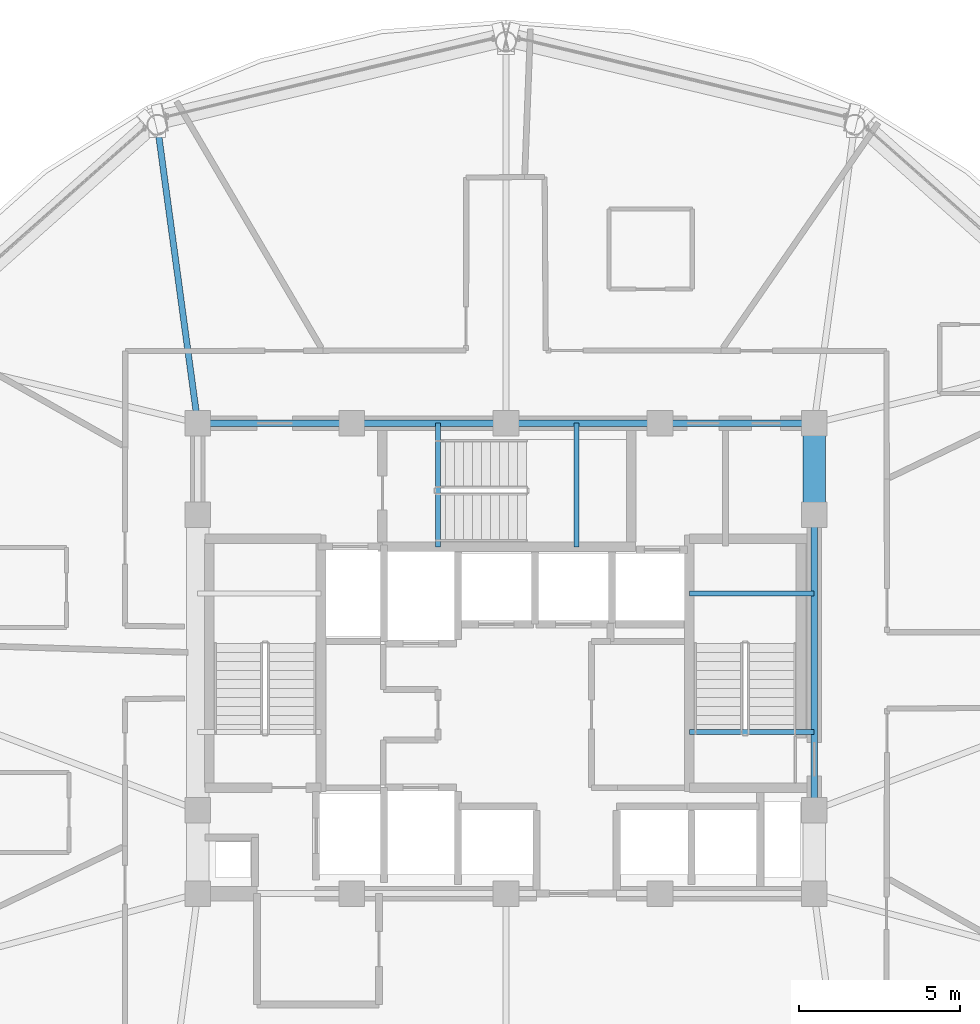
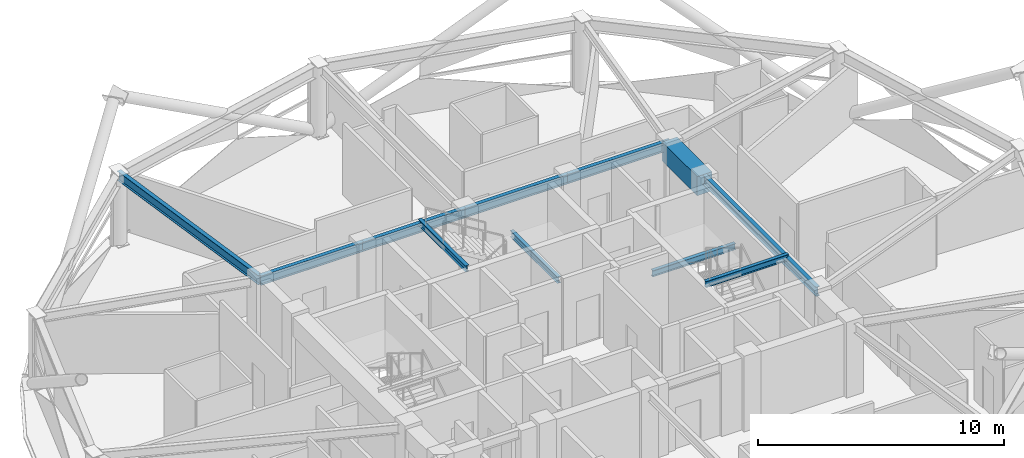
# One storey, part 10 of 29: 11 beams.
"""IFC4 building model written with IfcOpenShell, lengths in metres."""

from ifc_helpers import new_model, si_unit, direction, frame, origin, origin_2d, place, context, subcontext, project, spatial, rectangle, i_section, extrude, material, material_profile, profile_set, type_object, element, save


model = new_model("IFC4")

# Units and contexts
model_context = context("Model", 3, precision=1e-05, world=origin(), true_north=direction((0.0, 1.0)))
body_context = subcontext(model_context, "Body", "Model", "MODEL_VIEW")
ifc_project = project(units=[si_unit("LENGTHUNIT", "METRE"), si_unit("AREAUNIT", "SQUARE_METRE"), si_unit("VOLUMEUNIT", "CUBIC_METRE"), si_unit("PLANEANGLEUNIT", "RADIAN"), si_unit("MASSUNIT", "GRAM", prefix="KILO")], contexts=[model_context])

# Site, building, storey
site_placement = place(None, origin())
site = spatial("IfcSite", under=ifc_project, at=site_placement, CompositionType="ELEMENT")
building_placement = place(site_placement, origin())
building = spatial("IfcBuilding", under=site, at=building_placement, Name="Vantalir Tower", CompositionType="ELEMENT")
storey_placement = place(building_placement, frame((0.0, 0.0, 234.89990234375)))
storey = spatial("IfcBuildingStorey", under=building, at=storey_placement, Name="L59", CompositionType="ELEMENT", Elevation=234.89990234375)

# Beams
ifc_material_1 = material(Name="Concrete C60/75", Category="concrete")
ifc_material_profile_1 = material_profile(ifc_material_1, rectangle(XDim=0.699951171875, YDim=0.949951171875, at=origin_2d()), Name="Concrete C60/75")
ifc_profile_set_1 = profile_set([ifc_material_profile_1], Name="Concrete C60/75")
beam_type_1 = type_object("IfcBeamType", Name="BM-CB-700x950", PredefinedType="USERDEFINED", material=ifc_profile_set_1)
beam_1_placement = place(storey_placement, frame((41.10009765625, 29.60009765625, 3.09521484375), z_axis=(0.0, 1.0, 0.0), x_axis=(-1.0, 0.0, 0.0)))
element("IfcBeam", 1, at=beam_1_placement, inside=storey, type_object=beam_type_1, Name="L59 Core Coupling Girder 07", ObjectType="GIRDER", PredefinedType="USERDEFINED", context=body_context, shape_type="SweptSolid", body=[
    extrude(rectangle(XDim=0.699951171875, YDim=0.949951171875, at=origin_2d()), origin(), (0.0, 0.0, 1.0), 2.849853515625),
])
ifc_material_2 = material(Name="Steel S355", Category="steel")
ifc_material_profile_2 = material_profile(ifc_material_2, i_section(OverallWidth=0.166015625, OverallDepth=0.306884765625, WebThickness=0.006591796875, FlangeThickness=0.01171875, at=origin_2d()), Name="Steel S355")
ifc_profile_set_2 = profile_set([ifc_material_profile_2], Name="Steel S355")
beam_type_2 = type_object("IfcBeamType", Name="BM-JS-305x165", PredefinedType="JOIST", material=ifc_profile_set_2)
for number, where, z_axis, x_axis, name in (
    (2, (37.2099609375, 22.8349609375, 3.59619140625), (1.0, 0.0, 0.0), (0.0, 1.0, 0.0), "L60 Stair ST2 Well Nosing Trimmer Beam"),
    (3, (37.2099609375, 27.14501953125, 1.52099609375), (1.0, 0.0, 0.0), (0.0, 1.0, 0.0), "L59 Stair ST2 Half-Landing Support Beam"),
):
    element("IfcBeam", number, at=place(storey_placement, frame(where, z_axis=z_axis, x_axis=x_axis)), inside=storey, type_object=beam_type_2, Name=name, PredefinedType="JOIST", context=body_context, shape_type="SweptSolid", body=[
        extrude(i_section(OverallWidth=0.166015625, OverallDepth=0.306884765625, WebThickness=0.006591796875, FlangeThickness=0.01171875, at=origin_2d()), origin(), (0.0, 0.0, 1.0), 3.89013671875),
    ])
for number, where, z_axis, x_axis, name in (
    (4, (29.385009765625, 28.60009765625, 3.59619140625), (0.0, 1.0, 0.0), (-1.0, 0.0, 0.0), "L60 Stair ST3 Well Nosing Trimmer Beam"),
    (5, (33.695068359375, 28.60009765625, 1.52099609375), (0.0, 1.0, 0.0), (-1.0, 0.0, 0.0), "L59 Stair ST3 Half-Landing Support Beam"),
):
    element("IfcBeam", number, at=place(storey_placement, frame(where, z_axis=z_axis, x_axis=x_axis)), inside=storey, type_object=beam_type_2, Name=name, PredefinedType="JOIST", context=body_context, shape_type="SweptSolid", body=[
        extrude(i_section(OverallWidth=0.166015625, OverallDepth=0.306884765625, WebThickness=0.006591796875, FlangeThickness=0.01171875, at=origin_2d()), origin(), (0.0, 0.0, 1.0), 3.849853515625),
    ])
ifc_material_profile_3 = material_profile(ifc_material_2, i_section(OverallWidth=0.19189453125, OverallDepth=0.462890625, WebThickness=0.010498046875, FlangeThickness=0.017578125, at=origin_2d()), Name="Steel S355")
ifc_profile_set_3 = profile_set([ifc_material_profile_3], Name="Steel S355")
beam_type_3 = type_object("IfcBeamType", Name="BM-RB-457x191", PredefinedType="BEAM", material=ifc_profile_set_3)
beam_2_placement = place(storey_placement, frame((41.10009765625, 20.39990234375, 3.338134765625), z_axis=(0.0, 1.0, 0.0), x_axis=(-1.0, 0.0, 0.0)))
element("IfcBeam", 6, at=beam_2_placement, inside=storey, type_object=beam_type_3, Name="L59 Core Coupling Girder 06", PredefinedType="BEAM", context=body_context, shape_type="SweptSolid", body=[
    extrude(i_section(OverallWidth=0.19189453125, OverallDepth=0.462890625, WebThickness=0.010498046875, FlangeThickness=0.017578125, at=origin_2d()), origin(), (0.0, 0.0, 1.0), 9.2001953125),
])
for number, where, z_axis, x_axis, name in (
    (7, (41.10009765625, 32.449951171875, 3.338134765625), (-1.0, 0.0, 0.0), (0.0, -1.0, 0.0), "L59 Core Coupling Girder 08"),
    (8, (36.300048828125, 32.449951171875, 3.338134765625), (-1.0, 0.0, 0.0), (0.0, -1.0, 0.0), "L59 Core Coupling Girder 09"),
    (9, (31.5, 32.449951171875, 3.338134765625), (-1.0, 0.0, 0.0), (0.0, -1.0, 0.0), "L59 Core Coupling Girder 10"),
    (10, (26.699951171875, 32.449951171875, 3.338134765625), (-1.0, 0.0, 0.0), (0.0, -1.0, 0.0), "L59 Core Coupling Girder 11"),
):
    element("IfcBeam", number, at=place(storey_placement, frame(where, z_axis=z_axis, x_axis=x_axis)), inside=storey, type_object=beam_type_3, Name=name, PredefinedType="BEAM", context=body_context, shape_type="SweptSolid", body=[
        extrude(i_section(OverallWidth=0.19189453125, OverallDepth=0.462890625, WebThickness=0.010498046875, FlangeThickness=0.017578125, at=origin_2d()), origin(), (0.0, 0.0, 1.0), 4.800048828125),
    ])
beam_3_placement = place(storey_placement, frame((20.64111328125, 41.742919921875, 3.338134765625), z_axis=(0.134230220125, -0.99095017433, 0.0), x_axis=(0.99095017433, 0.134230220125, 0.0)))
element("IfcBeam", 11, at=beam_3_placement, inside=storey, type_object=beam_type_3, Name="L59 Radial Floor Beam 05", PredefinedType="BEAM", context=body_context, shape_type="SweptSolid", body=[
    extrude(i_section(OverallWidth=0.19189453125, OverallDepth=0.462890625, WebThickness=0.010498046875, FlangeThickness=0.017578125, at=origin_2d()), origin(), (0.0, 0.0, 1.0), 9.3779296875),
])

save(model, "model.ifc")
